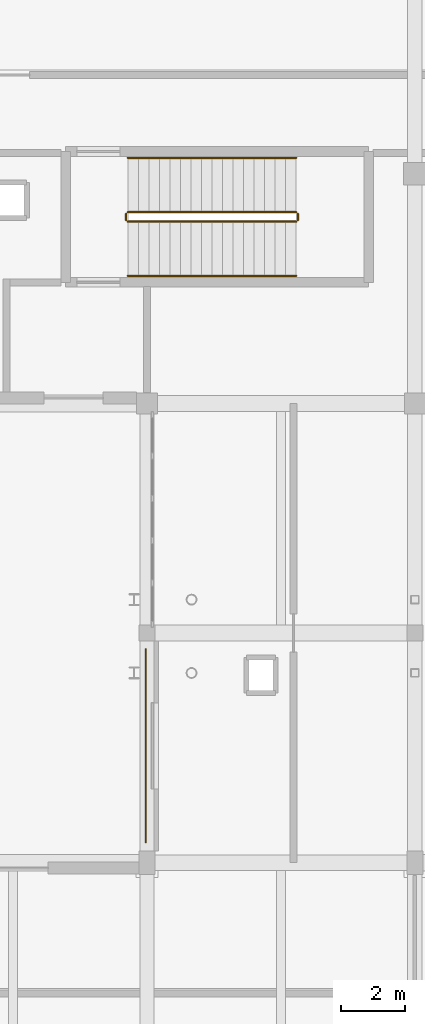
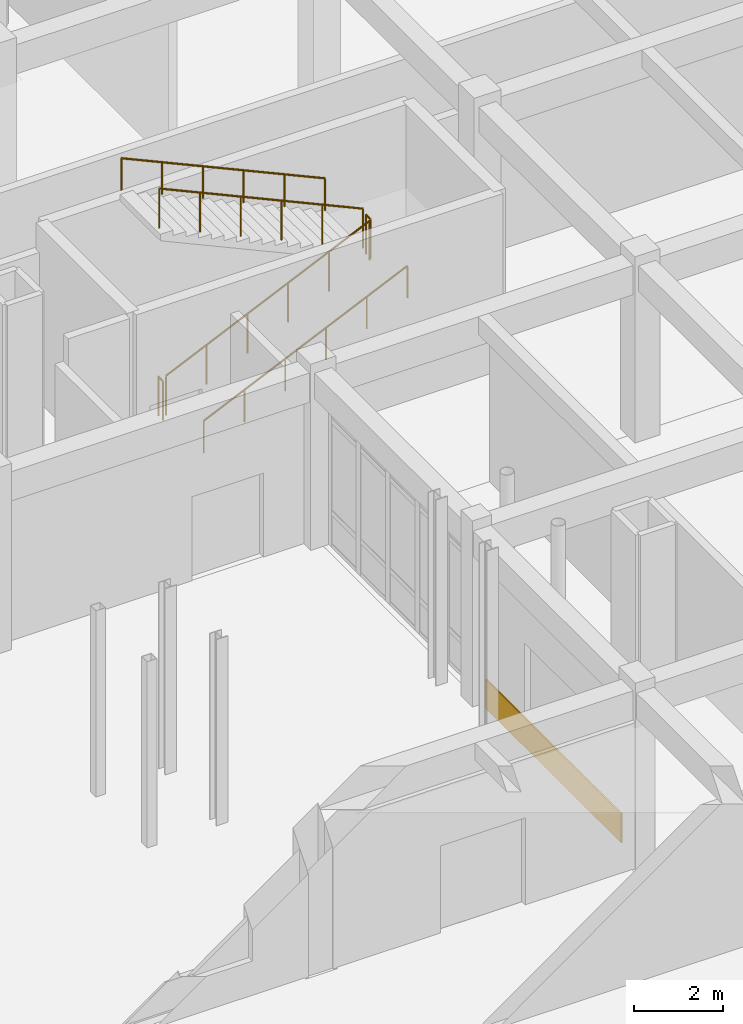
# One storey, part 113 of 121: 6 railings, 1 covering.
"""IFC4 building model written with IfcOpenShell, lengths in metres."""

import ifcopenshell
import ifcopenshell.guid

model = None  # the IFC model being written
_history = None  # IfcOwnerHistory: only IFC2X3 demands one
_inside = {}  # id of a spatial element -> (the spatial element, [elements in it])
_under = {}  # id of a project, library or spatial element -> (it, [spatial elements below it])
_declared = {}  # id of a project -> (the project, [libraries it declares])
_typed = {}  # id of a type object -> (the type object, [elements of that type])
_made_of = {}  # id of a material, layer set ... -> (it, [elements and type objects made of it])


def new_model(schema):
    """Start an empty IFC model of exactly this schema.

    Asked for "IFC4X3", IfcOpenShell would pick the latest addendum, in which some entities
    have other attributes; the version numbers below select the first issue.
    IFC2X3 requires an IfcOwnerHistory on every rooted entity: one is made here for all.
    """
    global model, _history
    if schema == "IFC4X3":
        model = ifcopenshell.file(schema_version=(4, 3, 0, 0))
    else:
        model = ifcopenshell.file(schema=schema)
    _inside.clear()
    _under.clear()
    _declared.clear()
    _typed.clear()
    _made_of.clear()
    _history = None
    if model.schema == "IFC2X3":
        org = make("IfcOrganization", Name="unknown")
        user = make(
            "IfcPersonAndOrganization",
            ThePerson=make("IfcPerson", FamilyName="unknown"),
            TheOrganization=org,
        )
        app = make(
            "IfcApplication",
            ApplicationDeveloper=org,
            Version="unknown",
            ApplicationFullName="unknown",
            ApplicationIdentifier="unknown",
        )
        _history = make(
            "IfcOwnerHistory",
            OwningUser=user,
            OwningApplication=app,
            ChangeAction="ADDED",
            CreationDate=0,
        )
    return model


def make(cls, **values):
    """One entity of the class cls with the attributes given. An attribute that is None is left unset."""
    return model.create_entity(
        cls, **{name: value for name, value in values.items() if value is not None}
    )


def rooted(cls, **values):
    """An entity with a GlobalId (a new one), such as an element, a storey or a relation."""
    return make(cls, GlobalId=ifcopenshell.guid.new(), OwnerHistory=_history, **values)


def si_unit(unit_type, name, prefix=None):
    """IfcSIUnit, for example si_unit("LENGTHUNIT", "METRE", prefix="MILLI")."""
    return make("IfcSIUnit", UnitType=unit_type, Prefix=prefix, Name=name)


def assignment(units):
    """IfcUnitAssignment: the units of a project."""
    return None if units is None else make("IfcUnitAssignment", Units=units)


def point(xyz):
    """IfcCartesianPoint."""
    return None if xyz is None else make("IfcCartesianPoint", Coordinates=xyz)


def direction(xyz):
    """IfcDirection."""
    return None if xyz is None else make("IfcDirection", DirectionRatios=xyz)


def frame(location, z_axis=None, x_axis=None):
    """IfcAxis2Placement3D, a coordinate frame: its origin and axes. An axis left out is left unset."""
    return make(
        "IfcAxis2Placement3D",
        Location=point(location),
        Axis=direction(z_axis),
        RefDirection=direction(x_axis),
    )


def frame_2d(location, x_axis=None):
    """IfcAxis2Placement2D, a coordinate frame in the plane: its origin and x axis."""
    return make(
        "IfcAxis2Placement2D", Location=point(location), RefDirection=direction(x_axis)
    )


def origin():
    """The frame at (0, 0, 0) with its axes left unset."""
    return frame((0.0, 0.0, 0.0))


def origin_2d():
    """The frame at (0, 0) in the plane with its x axis left unset."""
    return frame_2d((0.0, 0.0))


def place(relative_to, where):
    """IfcLocalPlacement: puts the frame where relative to a parent placement (None: the world)."""
    return make(
        "IfcLocalPlacement", PlacementRelTo=relative_to, RelativePlacement=where
    )


def context(
    kind, dimensions, precision=None, world=None, true_north=None, identifier=None
):
    """IfcGeometricRepresentationContext, for example the 3D "Model" context."""
    return make(
        "IfcGeometricRepresentationContext",
        ContextIdentifier=identifier,
        ContextType=kind,
        CoordinateSpaceDimension=dimensions,
        Precision=precision,
        WorldCoordinateSystem=world,
        TrueNorth=true_north,
    )


def subcontext(parent, identifier, kind, view, scale=None):
    """IfcGeometricRepresentationSubContext, for example "Body" below "Model"."""
    return make(
        "IfcGeometricRepresentationSubContext",
        ContextIdentifier=identifier,
        ContextType=kind,
        ParentContext=parent,
        TargetScale=scale,
        TargetView=view,
    )


def project(units=None, contexts=None):
    """IfcProject with its units and contexts."""
    return rooted(
        "IfcProject",
        Name="project",
        RepresentationContexts=contexts,
        UnitsInContext=assignment(units),
    )


def spatial(cls, under=None, at=None, **own):
    """A site, building, storey or space (cls), placed at a placement, below another one or the project."""
    s = rooted(cls, ObjectPlacement=at, **own)
    if under is not None:
        _under.setdefault(under.id(), (under, []))[1].append(s)
    return s


def polyline(points):
    """IfcPolyline through the points."""
    return make("IfcPolyline", Points=[point(p) for p in points])


def profile(cls, at=None, kind="AREA", **sizes):
    """A parametric profile (cls). Its sizes go by their IFC names, for example OverallWidth=200.0."""
    return make(cls, ProfileType=kind, Position=at, **sizes)


def circle(**sizes):
    """IfcCircleProfileDef."""
    return profile("IfcCircleProfileDef", **sizes)


def outline(outer, holes=None, kind="AREA"):
    """IfcArbitraryClosedProfileDef: a profile drawn as a closed curve; with holes, ...WithVoids."""
    if holes is None:
        return make("IfcArbitraryClosedProfileDef", ProfileType=kind, OuterCurve=outer)
    return make(
        "IfcArbitraryProfileDefWithVoids",
        ProfileType=kind,
        OuterCurve=outer,
        InnerCurves=holes,
    )


def extrude(swept, where, along, depth):
    """IfcExtrudedAreaSolid: the profile swept, set in the frame where, extruded along a direction by depth."""
    return make(
        "IfcExtrudedAreaSolid",
        SweptArea=swept,
        Position=where,
        ExtrudedDirection=direction(along),
        Depth=depth,
    )


def shape(context_of_items, identifier, shape_type, items):
    """IfcShapeRepresentation: the items that make up one representation, for example the "Body"."""
    return make(
        "IfcShapeRepresentation",
        ContextOfItems=context_of_items,
        RepresentationIdentifier=identifier,
        RepresentationType=shape_type,
        Items=items,
    )


def material(Name=None, Category=None):
    """IfcMaterial."""
    return make("IfcMaterial", Name=Name, Category=Category)


def layer(
    of_material, thickness, ventilated=None, Name=None, Category=None, Priority=None
):
    """IfcMaterialLayer: one layer of a wall or slab, of a material (None: an air gap)."""
    return make(
        "IfcMaterialLayer",
        Material=of_material,
        LayerThickness=thickness,
        IsVentilated=ventilated,
        Name=Name,
        Category=Category,
        Priority=Priority,
    )


def layer_set(layers, Name=None):
    """IfcMaterialLayerSet."""
    return make("IfcMaterialLayerSet", MaterialLayers=layers, LayerSetName=Name)


def made_of(thing, what):
    """Note that an element or type object is made of a material, layer set ...; save() writes the relation."""
    if what is not None:
        _made_of.setdefault(what.id(), (what, []))[1].append(thing)
    return thing


def type_object(cls, material=None, **own):
    """A type object (cls), such as IfcWallType, which elements share."""
    return made_of(rooted(cls, **own), material)


def element(
    cls,
    number,
    at=None,
    inside=None,
    cuts=None,
    type_object=None,
    material=None,
    context=None,
    identifier="Body",
    shape_type=None,
    held_by="IfcProductDefinitionShape",
    body=None,
    shapes=None,
    **own,
):
    """One element of the class cls, such as IfcWall. Its Tag is "e" and its number.

    at: its placement. inside: the storey or other place that contains it. cuts: it is an
    opening in that element (IfcRelVoidsElement). A single representation is given by context,
    identifier, shape_type and body (its items); several are given by shapes. held_by: the class
    of the entity that holds the representations. save() writes the other relations.
    """
    e = rooted(cls, Tag="e%d" % number, ObjectPlacement=at, **own)
    if body is not None:
        shapes = [shape(context, identifier, shape_type, body)]
    if shapes is not None:
        e.Representation = make(held_by, Representations=shapes)
    if inside is not None:
        _inside.setdefault(inside.id(), (inside, []))[1].append(e)
    if cuts is not None:
        rooted(
            "IfcRelVoidsElement", RelatingBuildingElement=cuts, RelatedOpeningElement=e
        )
    if type_object is not None:
        _typed.setdefault(type_object.id(), (type_object, []))[1].append(e)
    return made_of(e, material)


def aggregate(whole, parts):
    """IfcRelAggregates: a whole, such as a stair, and the parts it consists of."""
    return rooted("IfcRelAggregates", RelatingObject=whole, RelatedObjects=parts)


def save(model, path):
    """Write the relations noted so far, then the file.

    IfcRelAggregates (storeys below a building ...), IfcRelContainedInSpatialStructure (elements
    in a storey), IfcRelDefinesByType, IfcRelAssociatesMaterial and IfcRelDeclares: one each for
    every whole, place, type object, material and project.
    """
    for whole, parts in _under.values():
        aggregate(whole, parts)
    for where, things in _inside.values():
        rooted(
            "IfcRelContainedInSpatialStructure",
            RelatedElements=things,
            RelatingStructure=where,
        )
    for kind, things in _typed.values():
        rooted("IfcRelDefinesByType", RelatedObjects=things, RelatingType=kind)
    for what, things in _made_of.values():
        rooted("IfcRelAssociatesMaterial", RelatedObjects=things, RelatingMaterial=what)
    for by, libraries in _declared.values():
        rooted("IfcRelDeclares", RelatingContext=by, RelatedDefinitions=libraries)
    model.write(path)


model = new_model("IFC4")

# Units and contexts
model_context = context("Model", 3, precision=1e-05, world=origin(), true_north=direction((0.0, 1.0)))
body_context = subcontext(model_context, "Body", "Model", "MODEL_VIEW")
ifc_project = project(units=[si_unit("LENGTHUNIT", "METRE"), si_unit("AREAUNIT", "SQUARE_METRE"), si_unit("VOLUMEUNIT", "CUBIC_METRE"), si_unit("PLANEANGLEUNIT", "RADIAN"), si_unit("MASSUNIT", "GRAM", prefix="KILO")], contexts=[model_context])

# Site, building, storey
site_placement = place(None, origin())
site = spatial("IfcSite", under=ifc_project, at=site_placement, CompositionType="ELEMENT")
building_placement = place(site_placement, origin())
building = spatial("IfcBuilding", under=site, at=building_placement, Name="Malvenik Polytechnic", CompositionType="ELEMENT")
storey_placement = place(building_placement, origin())
storey = spatial("IfcBuildingStorey", under=building, at=storey_placement, Name="L00", CompositionType="ELEMENT", Elevation=0.0)

# Covering
ifc_material_1 = material(Name="Glazed ochre architectural terracotta rainscreen tile 35mm", Category="masonry")
ifc_layer_1 = layer(ifc_material_1, 0.034912109375)
ifc_layer_set_1 = layer_set([ifc_layer_1], Name="Glazed ochre architectural terracotta rainscreen tile 35mm")
covering_type = type_object("IfcCoveringType", Name="ARC-COV-CLAD-TERR", PredefinedType="CLADDING", material=ifc_layer_set_1)
covering_placement = place(storey_placement, frame((0.0, 0.0, 0.050048828125)))
element("IfcCovering", 1, at=covering_placement, inside=storey, type_object=covering_type, Name="Stone Rainscreen Band CL-02 L00 #26", PredefinedType="CLADDING", context=body_context, shape_type="SweptSolid", body=[
    extrude(outline(polyline([(75.583984375, 65.423095703125), (75.583984375, 71.501953125), (75.549072265625, 71.501953125), (75.549072265625, 65.423095703125), (75.583984375, 65.423095703125)])), origin(), (0.0, 0.0, 1.0), 0.800048828125),
])

# Railings
ifc_material_2 = material(Name="Painted galvanised steel stair well balustrade 1100mm", Category="steel")
ifc_layer_2 = layer(ifc_material_2, 0.050048828125)
ifc_layer_set_2 = layer_set([ifc_layer_2], Name="Painted galvanised steel stair well balustrade 1100mm")
railing_type_1 = type_object("IfcRailingType", Name="ARC-RL-STGD", PredefinedType="BALUSTRADE", material=ifc_layer_set_2)
railing_1_placement = place(storey_placement, frame((75.0, 84.89990234375, 0.14990234375)))
element("IfcRailing", 2, at=railing_1_placement, inside=storey, type_object=railing_type_1, Name="L00 ST-05 stair guard 1", PredefinedType="BALUSTRADE", context=body_context, shape_type="SweptSolid", body=[
    extrude(circle(Radius=0.02392578125, at=origin_2d()), frame((0.0, 0.0, 1.076171875), z_axis=(0.910357827898, 0.0, 0.413821972815), x_axis=(0.0, 1.0, 0.0)), (0.0, 0.0, 1.0), 5.800048828125),
    extrude(circle(Radius=0.02099609375, at=origin_2d()), origin(), (0.0, 0.0, 1.0), 1.052001953125),
    extrude(circle(Radius=0.02099609375, at=origin_2d()), frame((1.055908203125, 0.0, 0.47998046875)), (0.0, 0.0, 1.0), 1.052001953125),
    extrude(circle(Radius=0.02099609375, at=origin_2d()), frame((2.112060546875, 0.0, 0.9599609375)), (0.0, 0.0, 1.0), 1.052001953125),
    extrude(circle(Radius=0.02099609375, at=origin_2d()), frame((3.16796875, 0.0, 1.440185546875)), (0.0, 0.0, 1.0), 1.052001953125),
    extrude(circle(Radius=0.02099609375, at=origin_2d()), frame((4.22412109375, 0.0, 1.920166015625)), (0.0, 0.0, 1.0), 1.052001953125),
    extrude(circle(Radius=0.02099609375, at=origin_2d()), frame((5.280029296875, 0.0, 2.400146484375)), (0.0, 0.0, 1.0), 1.052001953125),
])
railing_2_placement = place(storey_placement, frame((80.330078125, 84.949951171875, 2.550048828125)))
element("IfcRailing", 3, at=railing_2_placement, inside=storey, type_object=railing_type_1, Name="L00 ST-05 stair guard 2", PredefinedType="BALUSTRADE", context=body_context, shape_type="SweptSolid", body=[
    extrude(circle(Radius=0.02392578125, at=origin_2d()), frame((0.0, 0.0, 1.076171875), z_axis=(0.0, 1.0, 0.0), x_axis=(-1.0, 0.0, 0.0)), (0.0, 0.0, 1.0), 0.199951171875),
    extrude(circle(Radius=0.02099609375, at=origin_2d()), origin(), (0.0, 0.0, 1.0), 1.052001953125),
    extrude(circle(Radius=0.02099609375, at=origin_2d()), frame((0.0, 0.199951171875, 0.0)), (0.0, 0.0, 1.0), 1.052001953125),
])
railing_3_placement = place(storey_placement, frame((80.280029296875, 85.199951171875, 2.699951171875)))
element("IfcRailing", 4, at=railing_3_placement, inside=storey, type_object=railing_type_1, Name="L00 ST-05 stair guard 3", PredefinedType="BALUSTRADE", context=body_context, shape_type="SweptSolid", body=[
    extrude(circle(Radius=0.02392578125, at=origin_2d()), frame((0.0, 0.0, 1.076171875), z_axis=(-0.910357827898, 0.0, 0.413821972815), x_axis=(0.0, -1.0, 0.0)), (0.0, 0.0, 1.0), 5.800048828125),
    extrude(circle(Radius=0.02099609375, at=origin_2d()), origin(), (0.0, 0.0, 1.0), 1.052001953125),
    extrude(circle(Radius=0.02099609375, at=origin_2d()), frame((-1.055908203125, 0.0, 0.47998046875)), (0.0, 0.0, 1.0), 1.052001953125),
    extrude(circle(Radius=0.02099609375, at=origin_2d()), frame((-2.112060546875, 0.0, 0.9599609375)), (0.0, 0.0, 1.0), 1.052001953125),
    extrude(circle(Radius=0.02099609375, at=origin_2d()), frame((-3.16796875, 0.0, 1.440185546875)), (0.0, 0.0, 1.0), 1.052001953125),
    extrude(circle(Radius=0.02099609375, at=origin_2d()), frame((-4.22412109375, 0.0, 1.920166015625)), (0.0, 0.0, 1.0), 1.052001953125),
    extrude(circle(Radius=0.02099609375, at=origin_2d()), frame((-5.280029296875, 0.0, 2.400146484375)), (0.0, 0.0, 1.0), 1.052001953125),
])
railing_4_placement = place(storey_placement, frame((74.949951171875, 84.949951171875, 0.0)))
element("IfcRailing", 5, at=railing_4_placement, inside=storey, type_object=railing_type_1, Name="L00 ST-05 stair guard 4", PredefinedType="BALUSTRADE", context=body_context, shape_type="SweptSolid", body=[
    extrude(circle(Radius=0.02392578125, at=origin_2d()), frame((0.0, 0.0, 1.076171875), z_axis=(0.0, 1.0, 0.0), x_axis=(-1.0, 0.0, 0.0)), (0.0, 0.0, 1.0), 0.199951171875),
    extrude(circle(Radius=0.02099609375, at=origin_2d()), origin(), (0.0, 0.0, 1.0), 1.052001953125),
    extrude(circle(Radius=0.02099609375, at=origin_2d()), frame((0.0, 0.199951171875, 0.0)), (0.0, 0.0, 1.0), 1.052001953125),
])
ifc_material_3 = material(Name="Brushed stainless steel 1.4301 stair wall handrail", Category="steel")
ifc_layer_3 = layer(ifc_material_3, 0.044921875)
ifc_layer_set_3 = layer_set([ifc_layer_3], Name="Brushed stainless steel 1.4301 stair wall handrail")
railing_type_2 = type_object("IfcRailingType", Name="ARC-RL-STHR", PredefinedType="HANDRAIL", material=ifc_layer_set_3)
railing_5_placement = place(storey_placement, frame((75.0, 83.199951171875, 0.14990234375)))
element("IfcRailing", 6, at=railing_5_placement, inside=storey, type_object=railing_type_2, Name="L00 ST-05 stair handrail 1", PredefinedType="HANDRAIL", context=body_context, shape_type="SweptSolid", body=[
    extrude(circle(Radius=0.02392578125, at=origin_2d()), frame((0.0, 0.0, 0.8759765625), z_axis=(0.910357827898, 0.0, 0.413821972815), x_axis=(0.0, 1.0, 0.0)), (0.0, 0.0, 1.0), 5.800048828125),
    extrude(circle(Radius=0.02099609375, at=origin_2d()), origin(), (0.0, 0.0, 1.0), 0.851806640625),
    extrude(circle(Radius=0.02099609375, at=origin_2d()), frame((1.055908203125, 0.0, 0.47998046875)), (0.0, 0.0, 1.0), 0.851806640625),
    extrude(circle(Radius=0.02099609375, at=origin_2d()), frame((2.112060546875, 0.0, 0.9599609375)), (0.0, 0.0, 1.0), 0.851806640625),
    extrude(circle(Radius=0.02099609375, at=origin_2d()), frame((3.16796875, 0.0, 1.440185546875)), (0.0, 0.0, 1.0), 0.851806640625),
    extrude(circle(Radius=0.02099609375, at=origin_2d()), frame((4.22412109375, 0.0, 1.920166015625)), (0.0, 0.0, 1.0), 0.851806640625),
    extrude(circle(Radius=0.02099609375, at=origin_2d()), frame((5.280029296875, 0.0, 2.400146484375)), (0.0, 0.0, 1.0), 0.851806640625),
])
railing_6_placement = place(storey_placement, frame((80.280029296875, 86.89990234375, 2.699951171875)))
element("IfcRailing", 7, at=railing_6_placement, inside=storey, type_object=railing_type_2, Name="L00 ST-05 stair handrail 2", PredefinedType="HANDRAIL", context=body_context, shape_type="SweptSolid", body=[
    extrude(circle(Radius=0.02392578125, at=origin_2d()), frame((0.0, 0.0, 0.8759765625), z_axis=(-0.910357827898, 0.0, 0.413821972815), x_axis=(0.0, -1.0, 0.0)), (0.0, 0.0, 1.0), 5.800048828125),
    extrude(circle(Radius=0.02099609375, at=origin_2d()), origin(), (0.0, 0.0, 1.0), 0.851806640625),
    extrude(circle(Radius=0.02099609375, at=origin_2d()), frame((-1.055908203125, 0.0, 0.47998046875)), (0.0, 0.0, 1.0), 0.851806640625),
    extrude(circle(Radius=0.02099609375, at=origin_2d()), frame((-2.112060546875, 0.0, 0.9599609375)), (0.0, 0.0, 1.0), 0.851806640625),
    extrude(circle(Radius=0.02099609375, at=origin_2d()), frame((-3.16796875, 0.0, 1.440185546875)), (0.0, 0.0, 1.0), 0.851806640625),
    extrude(circle(Radius=0.02099609375, at=origin_2d()), frame((-4.22412109375, 0.0, 1.920166015625)), (0.0, 0.0, 1.0), 0.851806640625),
    extrude(circle(Radius=0.02099609375, at=origin_2d()), frame((-5.280029296875, 0.0, 2.400146484375)), (0.0, 0.0, 1.0), 0.851806640625),
])

save(model, "model.ifc")
